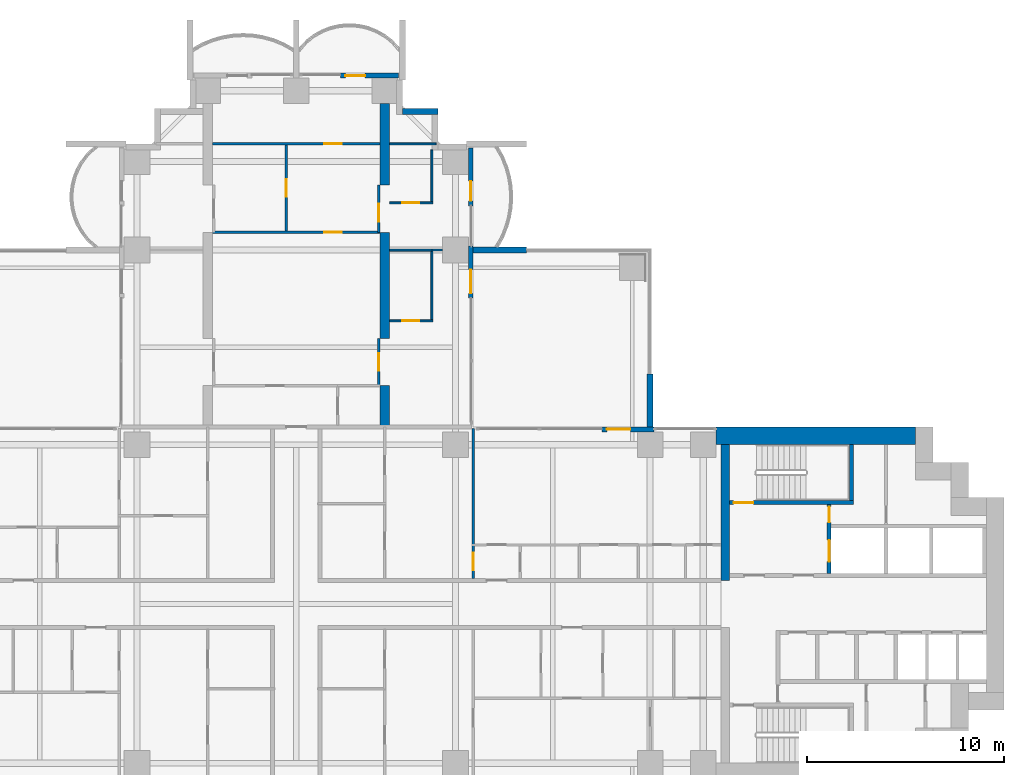
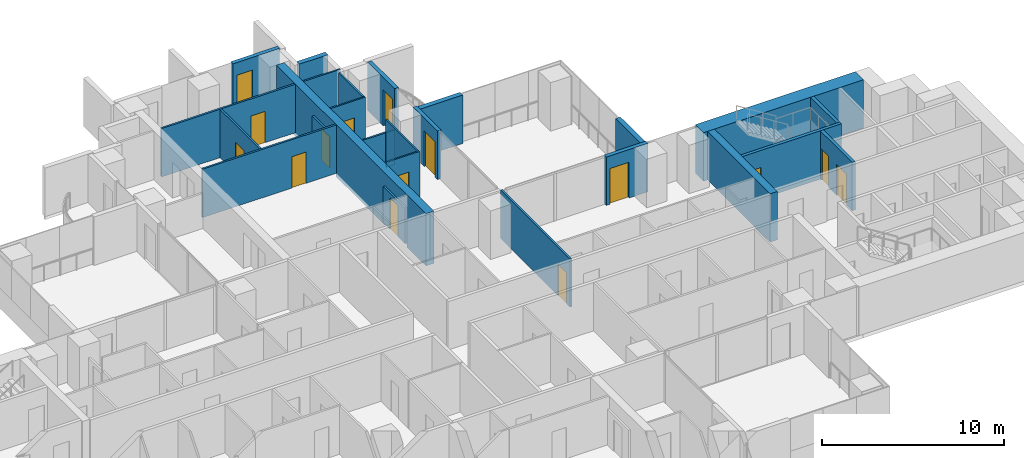
# One storey, part 15 of 21: 26 walls, 15 doors, 15 openings.
"""IFC4 building model written with IfcOpenShell, lengths in metres."""

from ifc_helpers import new_model, si_unit, direction, frame, frame_2d, origin, place, context, subcontext, project, spatial, polyline, rectangle, outline, extrude, material, layer, layer_set, material_profile, profile_set, type_object, element, fill, save


model = new_model("IFC4")

# Units and contexts
model_context = context("Model", 3, precision=1e-05, world=origin(), true_north=direction((0.0, 1.0)))
body_context = subcontext(model_context, "Body", "Model", "MODEL_VIEW")
ifc_project = project(units=[si_unit("LENGTHUNIT", "METRE"), si_unit("AREAUNIT", "SQUARE_METRE"), si_unit("VOLUMEUNIT", "CUBIC_METRE"), si_unit("PLANEANGLEUNIT", "RADIAN"), si_unit("MASSUNIT", "GRAM", prefix="KILO")], contexts=[model_context])

# Site, building, storey
site_placement = place(None, origin())
site = spatial("IfcSite", under=ifc_project, at=site_placement, CompositionType="ELEMENT")
building_placement = place(site_placement, origin())
building = spatial("IfcBuilding", under=site, at=building_placement, Name="Perihelion Cross Residences", CompositionType="ELEMENT")
storey_placement = place(building_placement, frame((0.0, 0.0, 43.5)))
storey = spatial("IfcBuildingStorey", under=building, at=storey_placement, Name="L07", CompositionType="ELEMENT", Elevation=43.5)

# Wall, opening, door
ifc_material_1 = material(Name="Concrete C30/37, bronze-clad", Category="concrete")
ifc_layer_1 = layer(ifc_material_1, 0.25)
ifc_layer_set_1 = layer_set([ifc_layer_1], Name="Bronze-clad pier wall 250")
wall_type_1 = type_object("IfcWallType", Name="Bronze-clad pier wall 250", PredefinedType="SOLIDWALL", material=ifc_layer_set_1)
wall_1_placement = place(storey_placement, frame((18.199951171875, 8.875, 0.0), z_axis=(0.0, 0.0, 1.0), x_axis=(-1.0, 0.0, 0.0)))
wall_1 = element("IfcWall", 1, at=wall_1_placement, inside=storey, type_object=wall_type_1, Name="Wall FW1 L07 east side north bay 2 pier", PredefinedType="SOLIDWALL", context=body_context, shape_type="SweptSolid", body=[
    extrude(rectangle(XDim=2.64990234375, YDim=0.25, at=frame_2d((1.324951171875, 0.0))), origin(), (0.0, 0.0, 1.0), 3.25),
])
opening_1_placement = place(wall_1_placement, frame((1.199951171875, 0.0, 0.0)))
opening_1 = element("IfcOpeningElement", 2, at=opening_1_placement, cuts=wall_1, Name="Opening L07.E01", PredefinedType="OPENING", context=body_context, shape_type="SweptSolid", body=[
    extrude(rectangle(XDim=1.199951171875, YDim=2.39990234375, at=frame_2d((0.60009765625, 1.199951171875))), frame((0.0, 0.135009765625, 0.0), z_axis=(0.0, -1.0, 0.0), x_axis=(1.0, 0.0, 0.0)), (0.0, 0.0, 1.0), 0.27001953125),
])
ifc_material_2 = material(Name="Bronze anodised aluminium, glazed", Category="aluminium")
door_type_1 = type_object("IfcDoorType", Name="Balcony door 1200 x 2400", OperationType="NOTDEFINED", PredefinedType="DOOR", material=ifc_material_2)
door_1_placement = place(opening_1_placement, origin())
door_1 = element("IfcDoor", 3, at=door_1_placement, inside=storey, type_object=door_type_1, Name="Door L07.E01 east side north bay 2", OperationType="SINGLE_SWING_RIGHT", OverallHeight=2.39990234375, OverallWidth=1.199951171875, PredefinedType="DOOR", context=body_context, shape_type="SweptSolid", body=[
    extrude(rectangle(XDim=1.199951171875, YDim=2.39990234375, at=frame_2d((0.60009765625, 1.199951171875))), frame((0.0, 0.02490234375, 0.0), z_axis=(0.0, -1.0, 0.0), x_axis=(1.0, 0.0, 0.0)), (0.0, 0.0, 1.0), 0.050048828125),
])
fill(opening_1, door_1)

wall_2_placement = place(storey_placement, frame((8.875, 15.550048828125, 0.0), z_axis=(0.0, 0.0, 1.0), x_axis=(0.0, 1.0, 0.0)))
wall_2 = element("IfcWall", 4, at=wall_2_placement, inside=storey, type_object=wall_type_1, Name="Wall FW1 L07 north side east bay 1 pier", PredefinedType="SOLIDWALL", context=body_context, shape_type="SweptSolid", body=[
    extrude(rectangle(XDim=2.64990234375, YDim=0.25, at=frame_2d((1.324951171875, 0.0))), origin(), (0.0, 0.0, 1.0), 3.25),
])
opening_2_placement = place(wall_2_placement, frame((0.25, 0.0, 0.0)))
opening_2 = element("IfcOpeningElement", 5, at=opening_2_placement, cuts=wall_2, Name="Opening L07.E02", PredefinedType="OPENING", context=body_context, shape_type="SweptSolid", body=[
    extrude(rectangle(XDim=1.199951171875, YDim=2.39990234375, at=frame_2d((0.60009765625, 1.199951171875))), frame((0.0, 0.135009765625, 0.0), z_axis=(0.0, -1.0, 0.0), x_axis=(1.0, 0.0, 0.0)), (0.0, 0.0, 1.0), 0.27001953125),
])
door_2_placement = place(opening_2_placement, origin())
door_2 = element("IfcDoor", 6, at=door_2_placement, inside=storey, type_object=door_type_1, Name="Door L07.E02 north side east bay 1", OperationType="SINGLE_SWING_LEFT", OverallHeight=2.39990234375, OverallWidth=1.199951171875, PredefinedType="DOOR", context=body_context, shape_type="SweptSolid", body=[
    extrude(rectangle(XDim=1.199951171875, YDim=2.39990234375, at=frame_2d((0.60009765625, 1.199951171875))), frame((0.0, 0.02490234375, 0.0), z_axis=(0.0, -1.0, 0.0), x_axis=(1.0, 0.0, 0.0)), (0.0, 0.0, 1.0), 0.050048828125),
])
fill(opening_2, door_2)

wall_3_placement = place(storey_placement, frame((8.875, 20.25, 0.0), z_axis=(0.0, 0.0, 1.0), x_axis=(0.0, 1.0, 0.0)))
wall_3 = element("IfcWall", 7, at=wall_3_placement, inside=storey, type_object=wall_type_1, Name="Wall FW1 L07 north side east bay 2 pier", PredefinedType="SOLIDWALL", context=body_context, shape_type="SweptSolid", body=[
    extrude(rectangle(XDim=2.949951171875, YDim=0.25, at=frame_2d((1.47509765625, 0.0))), origin(), (0.0, 0.0, 1.0), 3.25),
])
opening_3_placement = place(wall_3_placement, frame((0.25, 0.0, 0.0)))
opening_3 = element("IfcOpeningElement", 8, at=opening_3_placement, cuts=wall_3, Name="Opening L07.E03", PredefinedType="OPENING", context=body_context, shape_type="SweptSolid", body=[
    extrude(rectangle(XDim=1.0, YDim=2.39990234375, at=frame_2d((0.5, 1.199951171875))), frame((0.0, 0.135009765625, 0.0), z_axis=(0.0, -1.0, 0.0), x_axis=(1.0, 0.0, 0.0)), (0.0, 0.0, 1.0), 0.27001953125),
])
ifc_material_3 = material(Name="Bronze anodised aluminium, glazed", Category="aluminium")
door_type_2 = type_object("IfcDoorType", Name="Balcony door 1000 x 2400", OperationType="NOTDEFINED", PredefinedType="DOOR", material=ifc_material_3)
door_3_placement = place(opening_3_placement, origin())
door_3 = element("IfcDoor", 9, at=door_3_placement, inside=storey, type_object=door_type_2, Name="Door L07.E03 north side east bay 2", OperationType="SINGLE_SWING_RIGHT", OverallHeight=2.39990234375, OverallWidth=1.0, PredefinedType="DOOR", context=body_context, shape_type="SweptSolid", body=[
    extrude(rectangle(XDim=1.0, YDim=2.39990234375, at=frame_2d((0.5, 1.199951171875))), frame((0.0, 0.02490234375, 0.0), z_axis=(0.0, -1.0, 0.0), x_axis=(1.0, 0.0, 0.0)), (0.0, 0.0, 1.0), 0.050048828125),
])
fill(opening_3, door_3)

wall_4_placement = place(storey_placement, frame((5.199951171875, 26.875, 0.0), z_axis=(0.0, 0.0, 1.0), x_axis=(-1.0, 0.0, 0.0)))
wall_4 = element("IfcWall", 10, at=wall_4_placement, inside=storey, type_object=wall_type_1, Name="Wall FW1 L07 north tip north bay 1 pier", PredefinedType="SOLIDWALL", context=body_context, shape_type="SweptSolid", body=[
    extrude(rectangle(XDim=2.949951171875, YDim=0.25, at=frame_2d((1.47509765625, 0.0))), origin(), (0.0, 0.0, 1.0), 3.25),
])
opening_4_placement = place(wall_4_placement, frame((1.699951171875, 0.0, 0.0)))
opening_4 = element("IfcOpeningElement", 11, at=opening_4_placement, cuts=wall_4, Name="Opening L07.E04", PredefinedType="OPENING", context=body_context, shape_type="SweptSolid", body=[
    extrude(rectangle(XDim=1.0, YDim=2.39990234375, at=frame_2d((0.5, 1.199951171875))), frame((0.0, 0.135009765625, 0.0), z_axis=(0.0, -1.0, 0.0), x_axis=(1.0, 0.0, 0.0)), (0.0, 0.0, 1.0), 0.27001953125),
])
door_4_placement = place(opening_4_placement, origin())
door_4 = element("IfcDoor", 12, at=door_4_placement, inside=storey, type_object=door_type_2, Name="Door L07.E04 north tip north bay 1", OperationType="SINGLE_SWING_LEFT", OverallHeight=2.39990234375, OverallWidth=1.0, PredefinedType="DOOR", context=body_context, shape_type="SweptSolid", body=[
    extrude(rectangle(XDim=1.0, YDim=2.39990234375, at=frame_2d((0.5, 1.199951171875))), frame((0.0, 0.02490234375, 0.0), z_axis=(0.0, -1.0, 0.0), x_axis=(1.0, 0.0, 0.0)), (0.0, 0.0, 1.0), 0.050048828125),
])
fill(opening_4, door_4)

# Walls
ifc_material_4 = material(Name="Concrete C30/37, bronze-clad", Category="concrete")
ifc_layer_2 = layer(ifc_material_4, 0.300048828125)
ifc_layer_set_2 = layer_set([ifc_layer_2], Name="Bronze-clad serration wall 300")
wall_type_2 = type_object("IfcWallType", Name="Bronze-clad serration wall 300", PredefinedType="SOLIDWALL", material=ifc_layer_set_2)
wall_5_placement = place(storey_placement, frame((7.199951171875, 25.050048828125, 0.0), z_axis=(0.0, 0.0, 1.0), x_axis=(-1.0, 0.0, 0.0)))
element("IfcWall", 13, at=wall_5_placement, inside=storey, type_object=wall_type_2, Name="Wall SR1 L07 north corner north-east 3", PredefinedType="SOLIDWALL", context=body_context, shape_type="SweptSolid", body=[
    extrude(rectangle(XDim=1.800048828125, YDim=0.300048828125, at=frame_2d((0.89990234375, 0.0))), origin(), (0.0, 0.0, 1.0), 3.25),
])
ifc_material_5 = material(Name="Concrete C60/75", Category="concrete")
ifc_layer_3 = layer(ifc_material_5, 0.449951171875)
ifc_layer_set_3 = layer_set([ifc_layer_3], Name="Core wall, inner 450")
wall_type_3 = type_object("IfcWallType", Name="Core wall, inner 450", PredefinedType="SHEAR", material=ifc_layer_set_3)
wall_6_placement = place(storey_placement, frame((21.824951171875, 1.199951171875, 0.0), z_axis=(0.0, 0.0, 1.0), x_axis=(0.0, 1.0, 0.0)))
element("IfcWall", 14, at=wall_6_placement, inside=storey, type_object=wall_type_3, Name="East core core wall, inner", PredefinedType="SHEAR", context=body_context, shape_type="SweptSolid", body=[
    extrude(rectangle(XDim=6.900146484375, YDim=0.449951171875, at=frame_2d((3.4501953125, 0.0))), origin(), (0.0, 0.0, 1.0), 3.25),
])
ifc_material_6 = material(Name="Concrete C60/75", Category="concrete")
ifc_layer_4 = layer(ifc_material_6, 0.89990234375)
ifc_layer_set_4 = layer_set([ifc_layer_4], Name="Core wall, outer 900")
wall_type_4 = type_object("IfcWallType", Name="Core wall, outer 900", PredefinedType="SHEAR", material=ifc_layer_set_4)
wall_7_placement = place(storey_placement, frame((21.35009765625, 8.550048828125, 0.0), z_axis=(0.0, 0.0, 1.0), x_axis=(1.0, 0.0, 0.0)))
element("IfcWall", 15, at=wall_7_placement, inside=storey, type_object=wall_type_4, Name="East core core wall, outer", PredefinedType="SHEAR", context=body_context, shape_type="SweptSolid", body=[
    extrude(rectangle(XDim=10.14990234375, YDim=0.89990234375, at=frame_2d((5.074951171875, 0.0))), origin(), (0.0, 0.0, 1.0), 3.25),
])

# Wall, opening, door
ifc_material_7 = material(Name="Plasterboard partition")
ifc_layer_5 = layer(ifc_material_7, 0.1201171875)
ifc_layer_set_5 = layer_set([ifc_layer_5], Name="Infill panel 120")
wall_type_5 = type_object("IfcWallType", Name="Infill panel 120", PredefinedType="PARTITIONING", material=ifc_layer_set_5)
wall_8_placement = place(storey_placement, frame((4.18994140625, 11.10009765625, 0.0), z_axis=(0.0, 0.0, 1.0), x_axis=(0.0, 1.0, 0.0)))
wall_8 = element("IfcWall", 16, at=wall_8_placement, inside=storey, type_object=wall_type_5, Name="Partition L07 WI01", PredefinedType="PARTITIONING", context=body_context, shape_type="SweptSolid", body=[
    extrude(rectangle(XDim=2.39990234375, YDim=0.1201171875, at=frame_2d((1.199951171875, 0.0))), origin(), (0.0, 0.0, 1.0), 2.39990234375),
])
opening_5_placement = place(wall_8_placement, frame((0.75, 0.0, 0.0)))
opening_5 = element("IfcOpeningElement", 17, at=opening_5_placement, cuts=wall_8, Name="Opening L07.A54", PredefinedType="OPENING", context=body_context, shape_type="SweptSolid", body=[
    extrude(rectangle(XDim=0.89990234375, YDim=2.10009765625, at=frame_2d((0.449951171875, 1.050048828125))), frame((0.0, 0.070068359375, 0.0), z_axis=(0.0, -1.0, 0.0), x_axis=(1.0, 0.0, 0.0)), (0.0, 0.0, 1.0), 0.14013671875),
])
ifc_material_8 = material(Name="Timber door leaf", Category="wood")
door_type_3 = type_object("IfcDoorType", Name="Interior room door 900 x 2100", OperationType="SINGLE_SWING_LEFT", PredefinedType="DOOR", material=ifc_material_8)
door_5_placement = place(opening_5_placement, origin())
door_5 = element("IfcDoor", 18, at=door_5_placement, inside=storey, type_object=door_type_3, Name="Door L07.A54", OperationType="SINGLE_SWING_RIGHT", OverallHeight=2.10009765625, OverallWidth=0.89990234375, PredefinedType="DOOR", context=body_context, shape_type="SweptSolid", body=[
    extrude(rectangle(XDim=0.89990234375, YDim=2.10009765625, at=frame_2d((0.449951171875, 1.050048828125))), frame((0.0, 0.02490234375, 0.0), z_axis=(0.0, -1.0, 0.0), x_axis=(1.0, 0.0, 0.0)), (0.0, 0.0, 1.0), 0.050048828125),
])
fill(opening_5, door_5)

wall_9_placement = place(storey_placement, frame((4.18994140625, 18.89990234375, 0.0), z_axis=(0.0, 0.0, 1.0), x_axis=(0.0, 1.0, 0.0)))
wall_9 = element("IfcWall", 19, at=wall_9_placement, inside=storey, type_object=wall_type_5, Name="Partition L07 WI02", PredefinedType="PARTITIONING", context=body_context, shape_type="SweptSolid", body=[
    extrude(rectangle(XDim=2.400146484375, YDim=0.1201171875, at=frame_2d((1.2001953125, 0.0))), origin(), (0.0, 0.0, 1.0), 2.39990234375),
])
opening_6_placement = place(wall_9_placement, frame((0.550048828125, 0.0, 0.0)))
opening_6 = element("IfcOpeningElement", 20, at=opening_6_placement, cuts=wall_9, Name="Opening L07.A55", PredefinedType="OPENING", context=body_context, shape_type="SweptSolid", body=[
    extrude(rectangle(XDim=0.89990234375, YDim=2.10009765625, at=frame_2d((0.449951171875, 1.050048828125))), frame((0.0, 0.070068359375, 0.0), z_axis=(0.0, -1.0, 0.0), x_axis=(1.0, 0.0, 0.0)), (0.0, 0.0, 1.0), 0.14013671875),
])
door_6_placement = place(opening_6_placement, origin())
door_6 = element("IfcDoor", 21, at=door_6_placement, inside=storey, type_object=door_type_3, Name="Door L07.A55", OperationType="SINGLE_SWING_LEFT", OverallHeight=2.10009765625, OverallWidth=0.89990234375, PredefinedType="DOOR", context=body_context, shape_type="SweptSolid", body=[
    extrude(rectangle(XDim=0.89990234375, YDim=2.10009765625, at=frame_2d((0.449951171875, 1.050048828125))), frame((0.0, 0.02490234375, 0.0), z_axis=(0.0, -1.0, 0.0), x_axis=(1.0, 0.0, 0.0)), (0.0, 0.0, 1.0), 0.050048828125),
])
fill(opening_6, door_6)

ifc_material_9 = material(Name="Plasterboard partition")
ifc_layer_6 = layer(ifc_material_9, 0.1201171875)
ifc_layer_set_6 = layer_set([ifc_layer_6], Name="Partition wall 120")
wall_type_6 = type_object("IfcWallType", Name="Partition wall 120", PredefinedType="PARTITIONING", material=ifc_layer_set_6)
wall_10_placement = place(storey_placement, frame((9.0, 1.300048828125, 0.0), z_axis=(0.0, 0.0, 1.0), x_axis=(0.0, 1.0, 0.0)))
wall_10 = element("IfcWall", 22, at=wall_10_placement, inside=storey, type_object=wall_type_6, Name="Partition L07 W013", PredefinedType="PARTITIONING", context=body_context, shape_type="SweptSolid", body=[
    extrude(rectangle(XDim=7.619873046875, YDim=0.1201171875, at=frame_2d((3.81005859375, 0.0))), origin(), (0.0, 0.0, 1.0), 3.25),
])
opening_7_placement = place(wall_10_placement, frame((0.39990234375, 0.0, 0.0)))
opening_7 = element("IfcOpeningElement", 23, at=opening_7_placement, cuts=wall_10, Name="Opening L07.A04", PredefinedType="OPENING", context=body_context, shape_type="SweptSolid", body=[
    extrude(rectangle(XDim=0.89990234375, YDim=2.10009765625, at=frame_2d((0.449951171875, 1.050048828125))), frame((0.0, 0.070068359375, 0.0), z_axis=(0.0, -1.0, 0.0), x_axis=(1.0, 0.0, 0.0)), (0.0, 0.0, 1.0), 0.14013671875),
])
door_7_placement = place(opening_7_placement, origin())
door_7 = element("IfcDoor", 24, at=door_7_placement, inside=storey, type_object=door_type_3, Name="Door L07.A04", OperationType="SINGLE_SWING_RIGHT", OverallHeight=2.10009765625, OverallWidth=0.89990234375, PredefinedType="DOOR", context=body_context, shape_type="SweptSolid", body=[
    extrude(rectangle(XDim=0.89990234375, YDim=2.10009765625, at=frame_2d((0.449951171875, 1.050048828125))), frame((0.0, 0.02490234375, 0.0), z_axis=(0.0, -1.0, 0.0), x_axis=(1.0, 0.0, 0.0)), (0.0, 0.0, 1.0), 0.050048828125),
])
fill(opening_7, door_7)

wall_11_placement = place(storey_placement, frame((-4.25, 18.89990234375, 0.0), z_axis=(0.0, 0.0, 1.0), x_axis=(1.0, 0.0, 0.0)))
wall_11 = element("IfcWall", 25, at=wall_11_placement, inside=storey, type_object=wall_type_6, Name="Partition L07 W060", PredefinedType="PARTITIONING", context=body_context, shape_type="SweptSolid", body=[
    extrude(rectangle(XDim=8.5, YDim=0.1201171875, at=frame_2d((4.25, 0.0))), origin(), (0.0, 0.0, 1.0), 3.25),
])
opening_8_placement = place(wall_11_placement, frame((5.675048828125, 0.0, 0.0)))
opening_8 = element("IfcOpeningElement", 26, at=opening_8_placement, cuts=wall_11, Name="Opening L07.A37", PredefinedType="OPENING", context=body_context, shape_type="SweptSolid", body=[
    extrude(rectangle(XDim=0.89990234375, YDim=2.10009765625, at=frame_2d((0.449951171875, 1.050048828125))), frame((0.0, 0.070068359375, 0.0), z_axis=(0.0, -1.0, 0.0), x_axis=(1.0, 0.0, 0.0)), (0.0, 0.0, 1.0), 0.14013671875),
])
door_8_placement = place(opening_8_placement, origin())
door_8 = element("IfcDoor", 27, at=door_8_placement, inside=storey, type_object=door_type_3, Name="Door L07.A37", OperationType="SINGLE_SWING_RIGHT", OverallHeight=2.10009765625, OverallWidth=0.89990234375, PredefinedType="DOOR", context=body_context, shape_type="SweptSolid", body=[
    extrude(rectangle(XDim=0.89990234375, YDim=2.10009765625, at=frame_2d((0.449951171875, 1.050048828125))), frame((0.0, 0.02490234375, 0.0), z_axis=(0.0, -1.0, 0.0), x_axis=(1.0, 0.0, 0.0)), (0.0, 0.0, 1.0), 0.050048828125),
])
fill(opening_8, door_8)

wall_12_placement = place(storey_placement, frame((-0.5, 18.9599609375, 0.0), z_axis=(0.0, 0.0, 1.0), x_axis=(0.0, 1.0, 0.0)))
wall_12 = element("IfcWall", 28, at=wall_12_placement, inside=storey, type_object=wall_type_6, Name="Partition L07 W061", PredefinedType="PARTITIONING", context=body_context, shape_type="SweptSolid", body=[
    extrude(rectangle(XDim=4.380126953125, YDim=0.1201171875, at=frame_2d((2.18994140625, 0.0))), origin(), (0.0, 0.0, 1.0), 3.25),
])
opening_9_placement = place(wall_12_placement, frame((1.739990234375, 0.0, 0.0)))
opening_9 = element("IfcOpeningElement", 29, at=opening_9_placement, cuts=wall_12, Name="Opening L07.A38", PredefinedType="OPENING", context=body_context, shape_type="SweptSolid", body=[
    extrude(rectangle(XDim=0.89990234375, YDim=2.10009765625, at=frame_2d((0.449951171875, 1.050048828125))), frame((0.0, 0.070068359375, 0.0), z_axis=(0.0, -1.0, 0.0), x_axis=(1.0, 0.0, 0.0)), (0.0, 0.0, 1.0), 0.14013671875),
])
door_9_placement = place(opening_9_placement, origin())
door_9 = element("IfcDoor", 30, at=door_9_placement, inside=storey, type_object=door_type_3, Name="Door L07.A38", OperationType="SINGLE_SWING_RIGHT", OverallHeight=2.10009765625, OverallWidth=0.89990234375, PredefinedType="DOOR", context=body_context, shape_type="SweptSolid", body=[
    extrude(rectangle(XDim=0.89990234375, YDim=2.10009765625, at=frame_2d((0.449951171875, 1.050048828125))), frame((0.0, 0.02490234375, 0.0), z_axis=(0.0, -1.0, 0.0), x_axis=(1.0, 0.0, 0.0)), (0.0, 0.0, 1.0), 0.050048828125),
])
fill(opening_9, door_9)

wall_13_placement = place(storey_placement, frame((-4.25, 23.39990234375, 0.0), z_axis=(0.0, 0.0, 1.0), x_axis=(1.0, 0.0, 0.0)))
wall_13 = element("IfcWall", 31, at=wall_13_placement, inside=storey, type_object=wall_type_6, Name="Partition L07 W062", PredefinedType="PARTITIONING", context=body_context, shape_type="SweptSolid", body=[
    extrude(rectangle(XDim=8.5, YDim=0.1201171875, at=frame_2d((4.25, 0.0))), origin(), (0.0, 0.0, 1.0), 3.25),
])
opening_10_placement = place(wall_13_placement, frame((5.675048828125, 0.0, 0.0)))
opening_10 = element("IfcOpeningElement", 32, at=opening_10_placement, cuts=wall_13, Name="Opening L07.A39", PredefinedType="OPENING", context=body_context, shape_type="SweptSolid", body=[
    extrude(rectangle(XDim=0.89990234375, YDim=2.10009765625, at=frame_2d((0.449951171875, 1.050048828125))), frame((0.0, 0.070068359375, 0.0), z_axis=(0.0, -1.0, 0.0), x_axis=(1.0, 0.0, 0.0)), (0.0, 0.0, 1.0), 0.14013671875),
])
door_10_placement = place(opening_10_placement, origin())
door_10 = element("IfcDoor", 33, at=door_10_placement, inside=storey, type_object=door_type_3, Name="Door L07.A39", OperationType="SINGLE_SWING_LEFT", OverallHeight=2.10009765625, OverallWidth=0.89990234375, PredefinedType="DOOR", context=body_context, shape_type="SweptSolid", body=[
    extrude(rectangle(XDim=0.89990234375, YDim=2.10009765625, at=frame_2d((0.449951171875, 1.050048828125))), frame((0.0, 0.02490234375, 0.0), z_axis=(0.0, -1.0, 0.0), x_axis=(1.0, 0.0, 0.0)), (0.0, 0.0, 1.0), 0.050048828125),
])
fill(opening_10, door_10)

# Walls
wall_14_placement = place(storey_placement, frame((6.89990234375, 18.0, 0.0), z_axis=(0.0, 0.0, 1.0), x_axis=(1.0, 0.0, 0.0)))
element("IfcWall", 34, at=wall_14_placement, inside=storey, type_object=wall_type_6, Name="Partition L07 W065", PredefinedType="PARTITIONING", context=body_context, shape_type="SweptSolid", body=[
    extrude(rectangle(XDim=0.550048828125, YDim=0.1201171875, at=frame_2d((0.27490234375, 0.0))), origin(), (0.0, 0.0, 1.0), 2.345947265625),
])
ifc_material_10 = material(Name="Precast concrete C50/60", Category="concrete")
ifc_layer_7 = layer(ifc_material_10, 0.300048828125)
ifc_layer_set_7 = layer_set([ifc_layer_7], Name="Precast concrete C50/60 blade wall 300")
wall_type_7 = type_object("IfcWallType", Name="Precast concrete C50/60 blade wall 300", PredefinedType="SOLIDWALL", material=ifc_layer_set_7)
for number, where, z_axis, x_axis, name in (
    (35, (8.75, 18.0, 0.0), (0.0, 0.0, 1.0), (1.0, 0.0, 0.0), "Wall BL1 L07 no. 17"),
    (36, (18.0, 8.75, 0.0), (0.0, 0.0, 1.0), (0.0, 1.0, 0.0), "Wall BL1 L07 no. 12"),
):
    element("IfcWall", number, at=place(storey_placement, frame(where, z_axis=z_axis, x_axis=x_axis)), inside=storey, type_object=wall_type_7, Name=name, PredefinedType="SOLIDWALL", context=body_context, shape_type="SweptSolid", body=[
        extrude(rectangle(XDim=2.949951171875, YDim=0.300048828125, at=frame_2d((1.47509765625, 0.0))), origin(), (0.0, 0.0, 1.0), 3.25),
    ])

# Wall, openings, doors
ifc_material_11 = material(Name="Concrete C50/60", Category="concrete")
ifc_layer_8 = layer(ifc_material_11, 0.199951171875)
ifc_layer_set_8 = layer_set([ifc_layer_8], Name="Shaft wall 200")
wall_type_8 = type_object("IfcWallType", Name="Shaft wall 200", PredefinedType="SOLIDWALL", material=ifc_layer_set_8)
wall_15_placement = place(storey_placement, frame((27.10009765625, 1.550048828125, 0.0), z_axis=(0.0, 0.0, 1.0), x_axis=(0.0, 1.0, 0.0)))
wall_15 = element("IfcWall", 37, at=wall_15_placement, inside=storey, type_object=wall_type_8, Name="East core shaft wall", PredefinedType="SOLIDWALL", context=body_context, shape_type="SweptSolid", body=[
    extrude(rectangle(XDim=3.5, YDim=0.199951171875, at=frame_2d((1.75, 0.0))), origin(), (0.0, 0.0, 1.0), 3.25),
])
opening_11_placement = place(wall_15_placement, frame((0.60009765625, 0.0, 0.0)))
opening_11 = element("IfcOpeningElement", 38, at=opening_11_placement, cuts=wall_15, Name="Opening L07.C01", PredefinedType="OPENING", context=body_context, shape_type="SweptSolid", body=[
    extrude(rectangle(XDim=1.10009765625, YDim=2.10009765625, at=frame_2d((0.550048828125, 1.050048828125))), frame((0.0, 0.10986328125, 0.0), z_axis=(0.0, -1.0, 0.0), x_axis=(1.0, 0.0, 0.0)), (0.0, 0.0, 1.0), 0.219970703125),
])
opening_12_placement = place(wall_15_placement, frame((2.60009765625, 0.0, 0.0)))
opening_12 = element("IfcOpeningElement", 39, at=opening_12_placement, cuts=wall_15, Name="Opening L07.C11", PredefinedType="OPENING", context=body_context, shape_type="SweptSolid", body=[
    extrude(rectangle(XDim=0.800048828125, YDim=2.10009765625, at=frame_2d((0.39990234375, 1.050048828125))), frame((0.0, 0.10986328125, 0.0), z_axis=(0.0, -1.0, 0.0), x_axis=(1.0, 0.0, 0.0)), (0.0, 0.0, 1.0), 0.219970703125),
])
ifc_material_12 = material(Name="Stainless steel", Category="steel")
door_type_4 = type_object("IfcDoorType", Name="Landing door, firefighting lift 1100", OperationType="DOUBLE_DOOR_SLIDING", PredefinedType="DOOR", material=ifc_material_12)
door_11_placement = place(opening_11_placement, origin())
door_11 = element("IfcDoor", 40, at=door_11_placement, inside=storey, type_object=door_type_4, Name="Landing door, East core firefighting and service lift", OperationType="DOUBLE_DOOR_SLIDING", OverallHeight=2.10009765625, OverallWidth=1.10009765625, PredefinedType="DOOR", context=body_context, shape_type="SweptSolid", body=[
    extrude(rectangle(XDim=1.10009765625, YDim=2.10009765625, at=frame_2d((0.550048828125, 1.050048828125))), frame((0.0, 0.02490234375, 0.0), z_axis=(0.0, -1.0, 0.0), x_axis=(1.0, 0.0, 0.0)), (0.0, 0.0, 1.0), 0.050048828125),
])
fill(opening_11, door_11)
ifc_material_13 = material(Name="Steel, powder coated", Category="steel")
door_type_5 = type_object("IfcDoorType", Name="Riser door 800", OperationType="SINGLE_SWING_LEFT", PredefinedType="DOOR", material=ifc_material_13)
door_12_placement = place(opening_12_placement, origin())
door_12 = element("IfcDoor", 41, at=door_12_placement, inside=storey, type_object=door_type_5, Name="East core riser door", OperationType="SINGLE_SWING_LEFT", OverallHeight=2.10009765625, OverallWidth=0.800048828125, PredefinedType="DOOR", context=body_context, shape_type="SweptSolid", body=[
    extrude(rectangle(XDim=0.800048828125, YDim=2.10009765625, at=frame_2d((0.39990234375, 1.050048828125))), frame((0.0, 0.02490234375, 0.0), z_axis=(0.0, -1.0, 0.0), x_axis=(1.0, 0.0, 0.0)), (0.0, 0.0, 1.0), 0.050048828125),
])
fill(opening_12, door_12)

# Wall, opening, door
ifc_material_14 = material(Name="Concrete C50/60", Category="concrete")
ifc_layer_9 = layer(ifc_material_14, 0.199951171875)
ifc_layer_set_9 = layer_set([ifc_layer_9], Name="Stair wall 200")
wall_type_9 = type_object("IfcWallType", Name="Stair wall 200", PredefinedType="SOLIDWALL", material=ifc_layer_set_9)
wall_16_placement = place(storey_placement, frame((22.050048828125, 5.14990234375, 0.0), z_axis=(0.0, 0.0, 1.0), x_axis=(1.0, 0.0, 0.0)))
wall_16 = element("IfcWall", 42, at=wall_16_placement, inside=storey, type_object=wall_type_9, Name="East core stair wall", PredefinedType="SOLIDWALL", context=body_context, shape_type="SweptSolid", body=[
    extrude(rectangle(XDim=6.300048828125, YDim=0.199951171875, at=frame_2d((3.14990234375, 0.0))), origin(), (0.0, 0.0, 1.0), 3.25),
])
opening_13_placement = place(wall_16_placement, frame((0.199951171875, 0.0, 0.0)))
opening_13 = element("IfcOpeningElement", 43, at=opening_13_placement, cuts=wall_16, Name="Opening L07.C06", PredefinedType="OPENING", context=body_context, shape_type="SweptSolid", body=[
    extrude(rectangle(XDim=1.0, YDim=2.10009765625, at=frame_2d((0.5, 1.050048828125))), frame((0.0, 0.10986328125, 0.0), z_axis=(0.0, -1.0, 0.0), x_axis=(1.0, 0.0, 0.0)), (0.0, 0.0, 1.0), 0.219970703125),
])
ifc_material_15 = material(Name="Steel, powder coated", Category="steel")
door_type_6 = type_object("IfcDoorType", Name="Stair door 1000", OperationType="SINGLE_SWING_LEFT", PredefinedType="DOOR", material=ifc_material_15)
door_13_placement = place(opening_13_placement, origin())
door_13 = element("IfcDoor", 44, at=door_13_placement, inside=storey, type_object=door_type_6, Name="East core stair door", OperationType="SINGLE_SWING_LEFT", OverallHeight=2.10009765625, OverallWidth=1.0, PredefinedType="DOOR", context=body_context, shape_type="SweptSolid", body=[
    extrude(rectangle(XDim=1.0, YDim=2.10009765625, at=frame_2d((0.5, 1.050048828125))), frame((0.0, 0.02490234375, 0.0), z_axis=(0.0, -1.0, 0.0), x_axis=(1.0, 0.0, 0.0)), (0.0, 0.0, 1.0), 0.050048828125),
])
fill(opening_13, door_13)

# Walls
wall_17_placement = place(storey_placement, frame((28.25, 5.25, 0.0), z_axis=(0.0, 0.0, 1.0), x_axis=(0.0, 1.0, 0.0)))
element("IfcWall", 45, at=wall_17_placement, inside=storey, type_object=wall_type_9, Name="East core stair wall", PredefinedType="SOLIDWALL", context=body_context, shape_type="SweptSolid", body=[
    extrude(rectangle(XDim=2.85009765625, YDim=0.199951171875, at=frame_2d((1.425048828125, 0.0))), origin(), (0.0, 0.0, 1.0), 3.25),
])
ifc_material_16 = material(Name="Concrete C60/75", Category="concrete")
ifc_material_profile = material_profile(ifc_material_16, outline(polyline([(0.0, 0.0), (2.10009765625, 0.0), (2.10009765625, 2.64990234375), (4.5, 2.64990234375), (4.5, 0.0), (9.89990234375, 0.0), (9.89990234375, 2.64990234375), (12.300048828125, 2.64990234375), (12.300048828125, 0.0), (16.449951171875, 0.0), (16.449951171875, 3.5), (0.0, 3.5), (0.0, 0.0)])), Name="Tip spine wall")
ifc_profile_set = profile_set([ifc_material_profile], Name="Concrete C60/75")
wall_type_10 = type_object("IfcWallType", Name="Tip spine wall 500 with 2 door openings 16450 long 3500 high concrete C60/75 hand B", PredefinedType="SHEAR", material=ifc_profile_set)
wall_18_placement = place(storey_placement, frame((4.25, 9.0, -0.25), z_axis=(1.0, 0.0, 0.0), x_axis=(0.0, 1.0, 0.0)))
element("IfcWall", 46, at=wall_18_placement, inside=storey, type_object=wall_type_10, Name="Shear wall SW23 L07 north east", PredefinedType="SHEAR", context=body_context, shape_type="SweptSolid", body=[
    extrude(outline(polyline([(0.0, 0.0), (2.10009765625, 0.0), (2.10009765625, 2.64990234375), (4.5, 2.64990234375), (4.5, 0.0), (9.89990234375, 0.0), (9.89990234375, 2.64990234375), (12.300048828125, 2.64990234375), (12.300048828125, 0.0), (16.449951171875, 0.0), (16.449951171875, 3.5), (0.0, 3.5), (0.0, 0.0)])), origin(), (0.0, 0.0, 1.0), 0.5),
])

# Wall, opening, door
ifc_material_17 = material(Name="Plasterboard partition")
ifc_layer_10 = layer(ifc_material_17, 0.10009765625)
ifc_layer_set_10 = layer_set([ifc_layer_10], Name="Wet room wall 100")
wall_type_11 = type_object("IfcWallType", Name="Wet room wall 100", PredefinedType="PARTITIONING", material=ifc_layer_set_10)
wall_19_placement = place(storey_placement, frame((4.75, 14.39990234375, 0.0), z_axis=(0.0, 0.0, 1.0), x_axis=(1.0, 0.0, 0.0)))
wall_19 = element("IfcWall", 47, at=wall_19_placement, inside=storey, type_object=wall_type_11, Name="Partition L07 W063", PredefinedType="PARTITIONING", context=body_context, shape_type="SweptSolid", body=[
    extrude(rectangle(XDim=2.199951171875, YDim=0.10009765625, at=frame_2d((1.10009765625, 0.0))), origin(), (0.0, 0.0, 1.0), 3.25),
])
opening_14_placement = place(wall_19_placement, frame((0.64990234375, 0.0, 0.0)))
opening_14 = element("IfcOpeningElement", 48, at=opening_14_placement, cuts=wall_19, Name="Opening L07.A40", PredefinedType="OPENING", context=body_context, shape_type="SweptSolid", body=[
    extrude(rectangle(XDim=0.85009765625, YDim=2.10009765625, at=frame_2d((0.425048828125, 1.050048828125))), frame((0.0, 0.06005859375, 0.0), z_axis=(0.0, -1.0, 0.0), x_axis=(1.0, 0.0, 0.0)), (0.0, 0.0, 1.0), 0.1201171875),
])
ifc_material_18 = material(Name="Timber door leaf", Category="wood")
door_type_7 = type_object("IfcDoorType", Name="Interior bathroom door 850 x 2100", OperationType="SINGLE_SWING_LEFT", PredefinedType="DOOR", material=ifc_material_18)
door_14_placement = place(opening_14_placement, origin())
door_14 = element("IfcDoor", 49, at=door_14_placement, inside=storey, type_object=door_type_7, Name="Door L07.A40", OperationType="SINGLE_SWING_RIGHT", OverallHeight=2.10009765625, OverallWidth=0.85009765625, PredefinedType="DOOR", context=body_context, shape_type="SweptSolid", body=[
    extrude(rectangle(XDim=0.85009765625, YDim=2.10009765625, at=frame_2d((0.425048828125, 1.050048828125))), frame((0.0, 0.02490234375, 0.0), z_axis=(0.0, -1.0, 0.0), x_axis=(1.0, 0.0, 0.0)), (0.0, 0.0, 1.0), 0.050048828125),
])
fill(opening_14, door_14)

# Walls
wall_20_placement = place(storey_placement, frame((6.89990234375, 14.449951171875, 0.0), z_axis=(0.0, 0.0, 1.0), x_axis=(0.0, 1.0, 0.0)))
element("IfcWall", 50, at=wall_20_placement, inside=storey, type_object=wall_type_11, Name="Partition L07 W064", PredefinedType="PARTITIONING", context=body_context, shape_type="SweptSolid", body=[
    extrude(rectangle(XDim=3.489990234375, YDim=0.10009765625, at=frame_2d((1.7451171875, 0.0))), origin(), (0.0, 0.0, 1.0), 3.25),
])
wall_21_placement = place(storey_placement, frame((4.75, 18.0, 0.0), z_axis=(0.0, 0.0, 1.0), x_axis=(1.0, 0.0, 0.0)))
element("IfcWall", 51, at=wall_21_placement, inside=storey, type_object=wall_type_11, Name="Partition L07 W066", PredefinedType="PARTITIONING", context=body_context, shape_type="SweptSolid", body=[
    extrude(rectangle(XDim=2.14990234375, YDim=0.10009765625, at=frame_2d((1.074951171875, 0.0))), origin(), (0.0, 0.0, 1.0), 2.345947265625),
])

# Wall, opening, door
wall_22_placement = place(storey_placement, frame((4.75, 20.39990234375, 0.0), z_axis=(0.0, 0.0, 1.0), x_axis=(1.0, 0.0, 0.0)))
wall_22 = element("IfcWall", 52, at=wall_22_placement, inside=storey, type_object=wall_type_11, Name="Partition L07 W067", PredefinedType="PARTITIONING", context=body_context, shape_type="SweptSolid", body=[
    extrude(rectangle(XDim=2.199951171875, YDim=0.10009765625, at=frame_2d((1.10009765625, 0.0))), origin(), (0.0, 0.0, 1.0), 3.25),
])
opening_15_placement = place(wall_22_placement, frame((0.64990234375, 0.0, 0.0)))
opening_15 = element("IfcOpeningElement", 53, at=opening_15_placement, cuts=wall_22, Name="Opening L07.A41", PredefinedType="OPENING", context=body_context, shape_type="SweptSolid", body=[
    extrude(rectangle(XDim=0.85009765625, YDim=2.10009765625, at=frame_2d((0.425048828125, 1.050048828125))), frame((0.0, 0.06005859375, 0.0), z_axis=(0.0, -1.0, 0.0), x_axis=(1.0, 0.0, 0.0)), (0.0, 0.0, 1.0), 0.1201171875),
])
door_15_placement = place(opening_15_placement, origin())
door_15 = element("IfcDoor", 54, at=door_15_placement, inside=storey, type_object=door_type_7, Name="Door L07.A41", OperationType="SINGLE_SWING_LEFT", OverallHeight=2.10009765625, OverallWidth=0.85009765625, PredefinedType="DOOR", context=body_context, shape_type="SweptSolid", body=[
    extrude(rectangle(XDim=0.85009765625, YDim=2.10009765625, at=frame_2d((0.425048828125, 1.050048828125))), frame((0.0, 0.02490234375, 0.0), z_axis=(0.0, -1.0, 0.0), x_axis=(1.0, 0.0, 0.0)), (0.0, 0.0, 1.0), 0.050048828125),
])
fill(opening_15, door_15)

# Walls
wall_23_placement = place(storey_placement, frame((6.89990234375, 20.449951171875, 0.0), z_axis=(0.0, 0.0, 1.0), x_axis=(0.0, 1.0, 0.0)))
element("IfcWall", 55, at=wall_23_placement, inside=storey, type_object=wall_type_11, Name="Partition L07 W068", PredefinedType="PARTITIONING", context=body_context, shape_type="SweptSolid", body=[
    extrude(rectangle(XDim=2.650146484375, YDim=0.10009765625, at=frame_2d((1.3251953125, 0.0))), origin(), (0.0, 0.0, 1.0), 3.25),
])
wall_24_placement = place(storey_placement, frame((4.75, 23.39990234375, 0.0), z_axis=(0.0, 0.0, 1.0), x_axis=(1.0, 0.0, 0.0)))
element("IfcWall", 56, at=wall_24_placement, inside=storey, type_object=wall_type_11, Name="Partition L07 W069", PredefinedType="PARTITIONING", context=body_context, shape_type="SweptSolid", body=[
    extrude(rectangle(XDim=2.3701171875, YDim=0.10009765625, at=frame_2d((1.18505859375, 0.0))), origin(), (0.0, 0.0, 1.0), 3.25),
])

save(model, "model.ifc")
